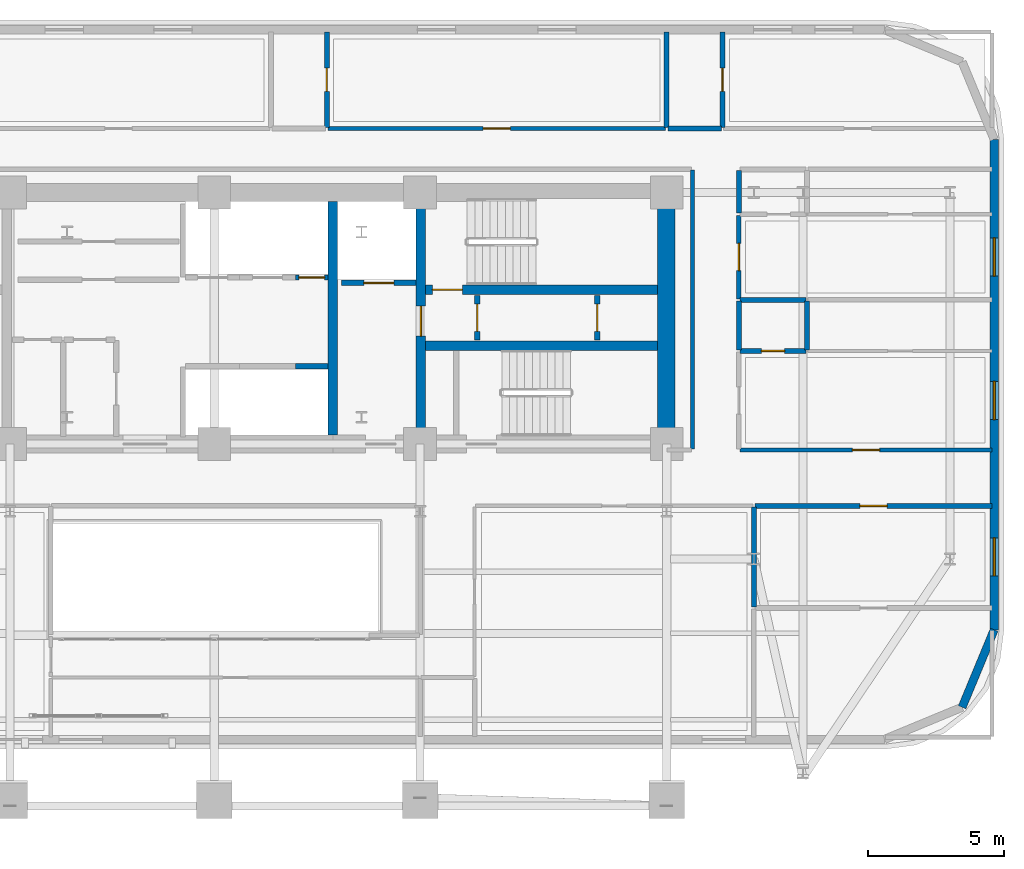
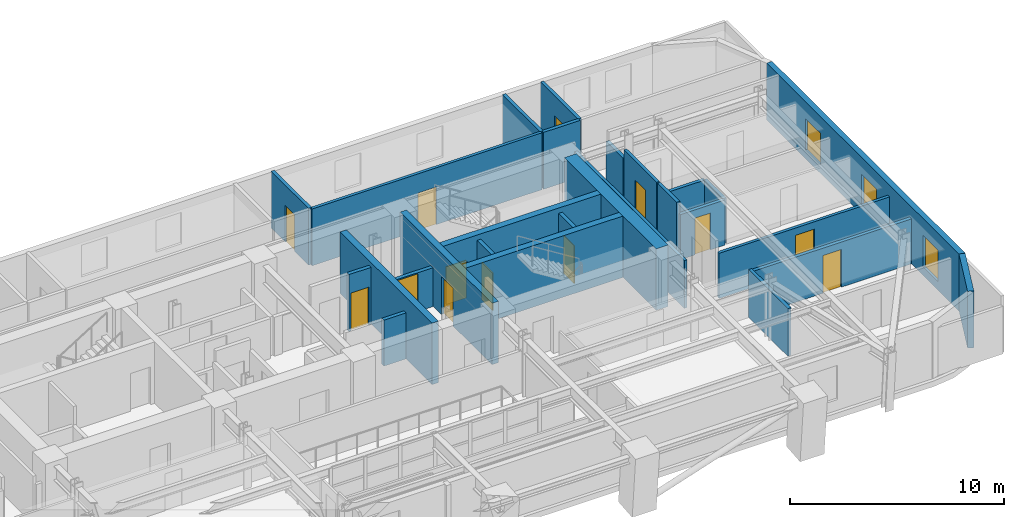
# One storey, part 11 of 15: 27 walls, 13 doors, 3 windows, 16 openings.
"""IFC4 building model written with IfcOpenShell, lengths in metres."""

from ifc_helpers import new_model, si_unit, direction, frame, frame_2d, origin, place, context, subcontext, project, spatial, rectangle, extrude, material, layer, layer_set, type_object, element, fill, save


model = new_model("IFC4")

# Units and contexts
model_context = context("Model", 3, precision=1e-05, world=origin(), true_north=direction((0.0, 1.0)))
body_context = subcontext(model_context, "Body", "Model", "MODEL_VIEW")
ifc_project = project(units=[si_unit("LENGTHUNIT", "METRE"), si_unit("AREAUNIT", "SQUARE_METRE"), si_unit("VOLUMEUNIT", "CUBIC_METRE"), si_unit("PLANEANGLEUNIT", "RADIAN"), si_unit("MASSUNIT", "GRAM", prefix="KILO")], contexts=[model_context])

# Site, building, storey
site_placement = place(None, origin())
site = spatial("IfcSite", under=ifc_project, at=site_placement, CompositionType="ELEMENT")
building_placement = place(site_placement, origin())
building = spatial("IfcBuilding", under=site, at=building_placement, Name="Zarnavel Station Tower", CompositionType="ELEMENT")
storey_placement = place(building_placement, frame((0.0, 0.0, 125.800048828125)))
storey = spatial("IfcBuildingStorey", under=building, at=storey_placement, Name="L34", CompositionType="ELEMENT", Elevation=125.800048828125)

# Wall
ifc_material_1 = material(Name="Concrete C50/60", Category="concrete")
ifc_layer_1 = layer(ifc_material_1, 0.35009765625)
ifc_layer_set_1 = layer_set([ifc_layer_1], Name="CW_350")
wall_type_1 = type_object("IfcWallType", Name="CW_350", PredefinedType="SHEAR", material=ifc_layer_set_1)
wall_1_placement = place(storey_placement, frame((33.14990234375, 28.14501953125, 0.0), z_axis=(0.0, 0.0, 1.0), x_axis=(0.0, 1.0, 0.0)))
element("IfcWall", 1, at=wall_1_placement, inside=storey, type_object=wall_type_1, Name="L34 Rear Core Shear Wall DIV-E", PredefinedType="SHEAR", context=body_context, shape_type="SweptSolid", body=[
    extrude(rectangle(XDim=8.580078125, YDim=0.35009765625, at=frame_2d((4.2900390625, 0.0))), origin(), (0.0, 0.0, 1.0), 3.5),
])

# Wall, opening, door
wall_2_placement = place(storey_placement, frame((36.3798828125, 28.14501953125, 0.0), z_axis=(0.0, 0.0, 1.0), x_axis=(0.0, 1.0, 0.0)))
wall_2 = element("IfcWall", 2, at=wall_2_placement, inside=storey, type_object=wall_type_1, Name="L34 Rear Core Shear Wall DIV-S2", PredefinedType="SHEAR", context=body_context, shape_type="SweptSolid", body=[
    extrude(rectangle(XDim=8.580078125, YDim=0.35009765625, at=frame_2d((4.2900390625, 0.0))), origin(), (0.0, 0.0, 1.0), 3.5),
])
opening_1_placement = place(wall_2_placement, frame((3.635009765625, 0.0, 0.0)))
opening_1 = element("IfcOpeningElement", 3, at=opening_1_placement, cuts=wall_2, Name="Opening FD01", PredefinedType="OPENING", context=body_context, shape_type="SweptSolid", body=[
    extrude(rectangle(XDim=1.10009765625, YDim=2.14990234375, at=frame_2d((0.550048828125, 1.074951171875))), frame((0.0, 0.18505859375, 0.0), z_axis=(0.0, -1.0, 0.0), x_axis=(1.0, 0.0, 0.0)), (0.0, 0.0, 1.0), 0.3701171875),
])
ifc_material_2 = material(Name="Painted Galvanised Steel and Hardwood Leaf", Category="steel")
door_type_1 = type_object("IfcDoorType", Name="ID_STAIR_1100", OperationType="NOTDEFINED", PredefinedType="DOOR", material=ifc_material_2)
door_1_placement = place(opening_1_placement, origin())
door_1 = element("IfcDoor", 4, at=door_1_placement, inside=storey, type_object=door_type_1, Name="L34 East Stair Vestibule Fire Door", OperationType="SINGLE_SWING_LEFT", OverallHeight=2.14990234375, OverallWidth=1.10009765625, PredefinedType="DOOR", context=body_context, shape_type="SweptSolid", body=[
    extrude(rectangle(XDim=1.10009765625, YDim=2.14990234375, at=frame_2d((0.550048828125, 1.074951171875))), frame((0.0, 0.02490234375, 0.0), z_axis=(0.0, -1.0, 0.0), x_axis=(1.0, 0.0, 0.0)), (0.0, 0.0, 1.0), 0.050048828125),
])
fill(opening_1, door_1)

wall_3_placement = place(storey_placement, frame((45.054931640625, 33.47998046875, 0.0), z_axis=(0.0, 0.0, 1.0), x_axis=(-1.0, 0.0, 0.0)))
wall_3 = element("IfcWall", 5, at=wall_3_placement, inside=storey, type_object=wall_type_1, Name="L34 Rear Core Shear Wall DIV-H2", PredefinedType="SHEAR", context=body_context, shape_type="SweptSolid", body=[
    extrude(rectangle(XDim=8.5, YDim=0.35009765625, at=frame_2d((4.25, 0.0))), origin(), (0.0, 0.0, 1.0), 3.5),
])
opening_2_placement = place(wall_3_placement, frame((7.155029296875, 0.0, 0.0)))
opening_2 = element("IfcOpeningElement", 6, at=opening_2_placement, cuts=wall_3, Name="Opening FD01", PredefinedType="OPENING", context=body_context, shape_type="SweptSolid", body=[
    extrude(rectangle(XDim=1.10009765625, YDim=2.14990234375, at=frame_2d((0.550048828125, 1.074951171875))), frame((0.0, 0.18505859375, 0.0), z_axis=(0.0, -1.0, 0.0), x_axis=(1.0, 0.0, 0.0)), (0.0, 0.0, 1.0), 0.3701171875),
])
door_2_placement = place(opening_2_placement, origin())
door_2 = element("IfcDoor", 7, at=door_2_placement, inside=storey, type_object=door_type_1, Name="L34 Stair ST2 Lobby Fire Door", OperationType="SINGLE_SWING_RIGHT", OverallHeight=2.14990234375, OverallWidth=1.10009765625, PredefinedType="DOOR", context=body_context, shape_type="SweptSolid", body=[
    extrude(rectangle(XDim=1.10009765625, YDim=2.14990234375, at=frame_2d((0.550048828125, 1.074951171875))), frame((0.0, 0.02490234375, 0.0), z_axis=(0.0, -1.0, 0.0), x_axis=(1.0, 0.0, 0.0)), (0.0, 0.0, 1.0), 0.050048828125),
])
fill(opening_2, door_2)

# Walls
wall_4_placement = place(storey_placement, frame((36.554931640625, 31.419921875, 0.0), z_axis=(0.0, 0.0, 1.0), x_axis=(1.0, 0.0, 0.0)))
element("IfcWall", 8, at=wall_4_placement, inside=storey, type_object=wall_type_1, Name="L34 Rear Core Shear Wall DIV-H3", PredefinedType="SHEAR", context=body_context, shape_type="SweptSolid", body=[
    extrude(rectangle(XDim=8.5, YDim=0.35009765625, at=frame_2d((4.25, 0.0))), origin(), (0.0, 0.0, 1.0), 3.5),
])
ifc_material_3 = material(Name="Concrete C60/75", Category="concrete")
ifc_layer_2 = layer(ifc_material_3, 0.64990234375)
ifc_layer_set_2 = layer_set([ifc_layer_2], Name="CW_650")
wall_type_2 = type_object("IfcWallType", Name="CW_650", PredefinedType="SHEAR", material=ifc_layer_set_2)
wall_5_placement = place(storey_placement, frame((45.3798828125, 28.14501953125, 0.0), z_axis=(0.0, 0.0, 1.0), x_axis=(0.0, 1.0, 0.0)))
element("IfcWall", 9, at=wall_5_placement, inside=storey, type_object=wall_type_2, Name="L34 Rear Core Shear Wall E", PredefinedType="SHEAR", context=body_context, shape_type="SweptSolid", body=[
    extrude(rectangle(XDim=8.580078125, YDim=0.64990234375, at=frame_2d((4.2900390625, 0.0))), origin(), (0.0, 0.0, 1.0), 3.5),
])
ifc_material_4 = material(Name="Precast concrete C45/55 (Dark Basalt Finish)", Category="masonry")
ifc_layer_3 = layer(ifc_material_4, 0.300048828125)
ifc_layer_set_3 = layer_set([ifc_layer_3], Name="EW_BASALT_300")
wall_type_3 = type_object("IfcWallType", Name="EW_BASALT_300", PredefinedType="SOLIDWALL", material=ifc_layer_set_3)
wall_6_placement = place(storey_placement, frame((57.419921875, 21.0, 0.0), z_axis=(0.0, 0.0, 1.0), x_axis=(-0.382636798336, -0.92389884758, 0.0)))
element("IfcWall", 10, at=wall_6_placement, inside=storey, type_object=wall_type_3, Name="L34 Exterior Basalt Masonry Frame Wall 02", PredefinedType="SOLIDWALL", context=body_context, shape_type="SweptSolid", body=[
    extrude(rectangle(XDim=3.07666015625, YDim=0.300048828125, at=frame_2d((1.538330078125, 0.0))), origin(), (0.0, 0.0, 1.0), 3.239990234375),
])

# Wall, openings, windows
wall_7_placement = place(storey_placement, frame((57.419921875, 39.0, 0.0), z_axis=(0.0, 0.0, 1.0), x_axis=(0.0, -1.0, 0.0)))
wall_7 = element("IfcWall", 11, at=wall_7_placement, inside=storey, type_object=wall_type_3, Name="L34 Exterior Basalt Masonry Frame Wall 03", PredefinedType="SOLIDWALL", context=body_context, shape_type="SweptSolid", body=[
    extrude(rectangle(XDim=18.0, YDim=0.300048828125, at=frame_2d((9.0, 0.0))), origin(), (0.0, 0.0, 1.0), 3.239990234375),
])
opening_3_placement = place(wall_7_placement, frame((8.882080078125, 0.0, 0.47998046875)))
opening_3 = element("IfcOpeningElement", 12, at=opening_3_placement, cuts=wall_7, Name="Opening WN01", PredefinedType="OPENING", context=body_context, shape_type="SweptSolid", body=[
    extrude(rectangle(XDim=1.39990234375, YDim=1.800048828125, at=frame_2d((0.699951171875, 0.89990234375))), frame((0.0, 0.159912109375, 0.0), z_axis=(0.0, -1.0, 0.0), x_axis=(1.0, 0.0, 0.0)), (0.0, 0.0, 1.0), 0.320068359375),
])
opening_4_placement = place(wall_7_placement, frame((3.62060546875, 0.0, 0.47998046875)))
opening_4 = element("IfcOpeningElement", 13, at=opening_4_placement, cuts=wall_7, Name="Opening WN01", PredefinedType="OPENING", context=body_context, shape_type="SweptSolid", body=[
    extrude(rectangle(XDim=1.39990234375, YDim=1.800048828125, at=frame_2d((0.699951171875, 0.89990234375))), frame((0.0, 0.159912109375, 0.0), z_axis=(0.0, -1.0, 0.0), x_axis=(1.0, 0.0, 0.0)), (0.0, 0.0, 1.0), 0.320068359375),
])
opening_5_placement = place(wall_7_placement, frame((14.625, 0.0, 0.47998046875)))
opening_5 = element("IfcOpeningElement", 14, at=opening_5_placement, cuts=wall_7, Name="Opening WN01", PredefinedType="OPENING", context=body_context, shape_type="SweptSolid", body=[
    extrude(rectangle(XDim=1.39990234375, YDim=1.800048828125, at=frame_2d((0.699951171875, 0.89990234375))), frame((0.0, 0.159912109375, 0.0), z_axis=(0.0, -1.0, 0.0), x_axis=(1.0, 0.0, 0.0)), (0.0, 0.0, 1.0), 0.320068359375),
])
ifc_material_5 = material(Name="Thermally Broken Black Aluminium and Low-E Dark Glass", Category="aluminium")
window_type = type_object("IfcWindowType", Name="WN_1400x1800", PartitioningType="DOUBLE_PANEL_VERTICAL", PredefinedType="WINDOW", material=ifc_material_5)
window_1_placement = place(opening_3_placement, origin())
window_1 = element("IfcWindow", 15, at=window_1_placement, inside=storey, type_object=window_type, Name="L34 Recessed Facade Window 01", OverallHeight=1.800048828125, OverallWidth=1.39990234375, PartitioningType="SINGLE_PANEL", PredefinedType="WINDOW", context=body_context, shape_type="SweptSolid", body=[
    extrude(rectangle(XDim=1.39990234375, YDim=1.800048828125, at=frame_2d((0.699951171875, 0.89990234375))), frame((0.0, 0.030029296875, 0.0), z_axis=(0.0, -1.0, 0.0), x_axis=(1.0, 0.0, 0.0)), (0.0, 0.0, 1.0), 0.06005859375),
])
fill(opening_3, window_1)
window_2_placement = place(opening_4_placement, origin())
window_2 = element("IfcWindow", 16, at=window_2_placement, inside=storey, type_object=window_type, Name="L34 Recessed Facade Window 02", OverallHeight=1.800048828125, OverallWidth=1.39990234375, PartitioningType="SINGLE_PANEL", PredefinedType="WINDOW", context=body_context, shape_type="SweptSolid", body=[
    extrude(rectangle(XDim=1.39990234375, YDim=1.800048828125, at=frame_2d((0.699951171875, 0.89990234375))), frame((0.0, 0.030029296875, 0.0), z_axis=(0.0, -1.0, 0.0), x_axis=(1.0, 0.0, 0.0)), (0.0, 0.0, 1.0), 0.06005859375),
])
fill(opening_4, window_2)
window_3_placement = place(opening_5_placement, origin())
window_3 = element("IfcWindow", 17, at=window_3_placement, inside=storey, type_object=window_type, Name="L34 Recessed Facade Window 03", OverallHeight=1.800048828125, OverallWidth=1.39990234375, PartitioningType="SINGLE_PANEL", PredefinedType="WINDOW", context=body_context, shape_type="SweptSolid", body=[
    extrude(rectangle(XDim=1.39990234375, YDim=1.800048828125, at=frame_2d((0.699951171875, 0.89990234375))), frame((0.0, 0.030029296875, 0.0), z_axis=(0.0, -1.0, 0.0), x_axis=(1.0, 0.0, 0.0)), (0.0, 0.0, 1.0), 0.06005859375),
])
fill(opening_5, window_3)

# Wall, opening, door
ifc_material_6 = material(Name="Gypsum Twin-Stud Acoustic Fire Partition", Category="concrete")
ifc_layer_4 = layer(ifc_material_6, 0.159912109375)
ifc_layer_set_4 = layer_set([ifc_layer_4], Name="PT_DEMISE_160")
wall_type_4 = type_object("IfcWallType", Name="PT_DEMISE_160", PredefinedType="PARTITIONING", material=ifc_layer_set_4)
wall_8_placement = place(storey_placement, frame((48.090087890625, 27.60009765625, 0.0), z_axis=(0.0, 0.0, 1.0), x_axis=(1.0, 0.0, 0.0)))
wall_8 = element("IfcWall", 18, at=wall_8_placement, inside=storey, type_object=wall_type_4, Name="L34 Partition COR-S-FNE1R", PredefinedType="PARTITIONING", context=body_context, shape_type="SweptSolid", body=[
    extrude(rectangle(XDim=9.25, YDim=0.159912109375, at=frame_2d((4.625, 0.0))), origin(), (0.0, 0.0, 1.0), 2.570068359375),
])
opening_6_placement = place(wall_8_placement, frame((4.125, 0.0, 0.0)))
opening_6 = element("IfcOpeningElement", 19, at=opening_6_placement, cuts=wall_8, Name="Opening FD02", PredefinedType="OPENING", context=body_context, shape_type="SweptSolid", body=[
    extrude(rectangle(XDim=1.0, YDim=2.14990234375, at=frame_2d((0.5, 1.074951171875))), frame((0.0, 0.08984375, 0.0), z_axis=(0.0, -1.0, 0.0), x_axis=(1.0, 0.0, 0.0)), (0.0, 0.0, 1.0), 0.179931640625),
])
ifc_material_7 = material(Name="Painted Galvanised Steel and Hardwood Leaf", Category="steel")
door_type_2 = type_object("IfcDoorType", Name="ID_ENTRY_1000", OperationType="NOTDEFINED", PredefinedType="DOOR", material=ifc_material_7)
door_3_placement = place(opening_6_placement, origin())
door_3 = element("IfcDoor", 20, at=door_3_placement, inside=storey, type_object=door_type_2, Name="L34 Door COR-S-FNE1R", OperationType="SINGLE_SWING_LEFT", OverallHeight=2.14990234375, OverallWidth=1.0, PredefinedType="DOOR", context=body_context, shape_type="SweptSolid", body=[
    extrude(rectangle(XDim=1.0, YDim=2.14990234375, at=frame_2d((0.5, 1.074951171875))), frame((0.0, 0.02490234375, 0.0), z_axis=(0.0, -1.0, 0.0), x_axis=(1.0, 0.0, 0.0)), (0.0, 0.0, 1.0), 0.050048828125),
])
fill(opening_6, door_3)

wall_9_placement = place(storey_placement, frame((48.050048828125, 33.14892578125, 0.0), z_axis=(0.0, 0.0, 1.0), x_axis=(0.0, 1.0, 0.0)))
wall_9 = element("IfcWall", 21, at=wall_9_placement, inside=storey, type_object=wall_type_4, Name="L34 Partition COR-E-FNE2R", PredefinedType="PARTITIONING", context=body_context, shape_type="SweptSolid", body=[
    extrude(rectangle(XDim=3.06103515625, YDim=0.159912109375, at=frame_2d((1.530517578125, 0.0))), origin(), (0.0, 0.0, 1.0), 3.239990234375),
])
opening_7_placement = place(wall_9_placement, frame((1.030517578125, 0.0, 0.0)))
opening_7 = element("IfcOpeningElement", 22, at=opening_7_placement, cuts=wall_9, Name="Opening FD02", PredefinedType="OPENING", context=body_context, shape_type="SweptSolid", body=[
    extrude(rectangle(XDim=1.0, YDim=2.14990234375, at=frame_2d((0.5, 1.074951171875))), frame((0.0, 0.08984375, 0.0), z_axis=(0.0, -1.0, 0.0), x_axis=(1.0, 0.0, 0.0)), (0.0, 0.0, 1.0), 0.179931640625),
])
door_4_placement = place(opening_7_placement, origin())
door_4 = element("IfcDoor", 23, at=door_4_placement, inside=storey, type_object=door_type_2, Name="L34 Door COR-E-FNE2R", OperationType="SINGLE_SWING_LEFT", OverallHeight=2.14990234375, OverallWidth=1.0, PredefinedType="DOOR", context=body_context, shape_type="SweptSolid", body=[
    extrude(rectangle(XDim=1.0, YDim=2.14990234375, at=frame_2d((0.5, 1.074951171875))), frame((0.0, 0.02490234375, 0.0), z_axis=(0.0, -1.0, 0.0), x_axis=(1.0, 0.0, 0.0)), (0.0, 0.0, 1.0), 0.050048828125),
])
fill(opening_7, door_4)

wall_10_placement = place(storey_placement, frame((32.967041015625, 39.39990234375, 0.0), z_axis=(0.0, 0.0, 1.0), x_axis=(1.0, 0.0, 0.0)))
wall_10 = element("IfcWall", 24, at=wall_10_placement, inside=storey, type_object=wall_type_4, Name="L34 Partition COR-N-HN3R", PredefinedType="PARTITIONING", context=body_context, shape_type="SweptSolid", body=[
    extrude(rectangle(XDim=12.39306640625, YDim=0.159912109375, at=frame_2d((6.196533203125, 0.0))), origin(), (0.0, 0.0, 1.0), 3.239990234375),
])
opening_8_placement = place(wall_10_placement, frame((5.696533203125, 0.0, 0.0)))
opening_8 = element("IfcOpeningElement", 25, at=opening_8_placement, cuts=wall_10, Name="Opening FD02", PredefinedType="OPENING", context=body_context, shape_type="SweptSolid", body=[
    extrude(rectangle(XDim=1.0, YDim=2.14990234375, at=frame_2d((0.5, 1.074951171875))), frame((0.0, 0.08984375, 0.0), z_axis=(0.0, -1.0, 0.0), x_axis=(1.0, 0.0, 0.0)), (0.0, 0.0, 1.0), 0.179931640625),
])
door_5_placement = place(opening_8_placement, origin())
door_5 = element("IfcDoor", 26, at=door_5_placement, inside=storey, type_object=door_type_2, Name="L34 Door COR-N-HN3R", OperationType="SINGLE_SWING_LEFT", OverallHeight=2.14990234375, OverallWidth=1.0, PredefinedType="DOOR", context=body_context, shape_type="SweptSolid", body=[
    extrude(rectangle(XDim=1.0, YDim=2.14990234375, at=frame_2d((0.5, 1.074951171875))), frame((0.0, 0.02490234375, 0.0), z_axis=(0.0, -1.0, 0.0), x_axis=(1.0, 0.0, 0.0)), (0.0, 0.0, 1.0), 0.050048828125),
])
fill(opening_8, door_5)

# Wall
wall_11_placement = place(storey_placement, frame((46.35009765625, 27.6298828125, 0.0), z_axis=(0.0, 0.0, 1.0), x_axis=(0.0, 1.0, 0.0)))
element("IfcWall", 27, at=wall_11_placement, inside=storey, type_object=wall_type_4, Name="L34 Enclosure Wall COR-E", PredefinedType="PARTITIONING", context=body_context, shape_type="SweptSolid", body=[
    extrude(rectangle(XDim=10.240234375, YDim=0.159912109375, at=frame_2d((5.1201171875, 0.0))), origin(), (0.0, 0.0, 1.0), 2.719970703125),
])

# Wall, opening, door
ifc_material_8 = material(Name="Precast concrete C45/55 (Fire Shaft Blockwork)", Category="masonry")
ifc_layer_5 = layer(ifc_material_8, 0.199951171875)
ifc_layer_set_5 = layer_set([ifc_layer_5], Name="PT_SHAFT_200")
wall_type_5 = type_object("IfcWallType", Name="PT_SHAFT_200", PredefinedType="PARTITIONING", material=ifc_layer_set_5)
wall_12_placement = place(storey_placement, frame((33.47509765625, 33.72998046875, 0.0), z_axis=(0.0, 0.0, 1.0), x_axis=(1.0, 0.0, 0.0)))
wall_12 = element("IfcWall", 28, at=wall_12_placement, inside=storey, type_object=wall_type_5, Name="L34 Lift FFL-02 Shaft Front Wall", PredefinedType="PARTITIONING", context=body_context, shape_type="SweptSolid", body=[
    extrude(rectangle(XDim=2.724853515625, YDim=0.199951171875, at=frame_2d((1.3623046875, 0.0))), origin(), (0.0, 0.0, 1.0), 2.2119140625),
])
opening_9_placement = place(wall_12_placement, frame((0.8125, 0.0, 0.0)))
opening_9 = element("IfcOpeningElement", 29, at=opening_9_placement, cuts=wall_12, Name="Opening LD01", PredefinedType="OPENING", context=body_context, shape_type="SweptSolid", body=[
    extrude(rectangle(XDim=1.10009765625, YDim=2.14990234375, at=frame_2d((0.550048828125, 1.074951171875))), frame((0.0, 0.10986328125, 0.0), z_axis=(0.0, -1.0, 0.0), x_axis=(1.0, 0.0, 0.0)), (0.0, 0.0, 1.0), 0.219970703125),
])
ifc_material_9 = material(Name="Painted Galvanised Steel and Hardwood Leaf", Category="steel")
door_type_3 = type_object("IfcDoorType", Name="LD_FF_1100", OperationType="DOUBLE_DOOR_SLIDING", PredefinedType="DOOR", material=ifc_material_9)
door_6_placement = place(opening_9_placement, origin())
door_6 = element("IfcDoor", 30, at=door_6_placement, inside=storey, type_object=door_type_3, Name="L34 Lift FFL-02 Sliding Landing Door", OperationType="DOUBLE_DOOR_SLIDING", OverallHeight=2.14990234375, OverallWidth=1.10009765625, PredefinedType="DOOR", context=body_context, shape_type="SweptSolid", body=[
    extrude(rectangle(XDim=1.10009765625, YDim=2.14990234375, at=frame_2d((0.550048828125, 1.074951171875))), frame((0.0, 0.02490234375, 0.0), z_axis=(0.0, -1.0, 0.0), x_axis=(1.0, 0.0, 0.0)), (0.0, 0.0, 1.0), 0.050048828125),
])
fill(opening_9, door_6)

# Wall
wall_13_placement = place(storey_placement, frame((31.77490234375, 30.669921875, 0.0), z_axis=(0.0, 0.0, 1.0), x_axis=(1.0, 0.0, 0.0)))
element("IfcWall", 31, at=wall_13_placement, inside=storey, type_object=wall_type_5, Name="L34 Lift PL-H3 Shaft Front Wall", PredefinedType="PARTITIONING", context=body_context, shape_type="SweptSolid", body=[
    extrude(rectangle(XDim=1.2001953125, YDim=0.199951171875, at=frame_2d((0.60009765625, 0.0))), origin(), (0.0, 0.0, 1.0), 2.619873046875),
])

# Wall, opening, door
wall_14_placement = place(storey_placement, frame((31.77490234375, 33.929931640625, 0.0), z_axis=(0.0, 0.0, 1.0), x_axis=(1.0, 0.0, 0.0)))
wall_14 = element("IfcWall", 32, at=wall_14_placement, inside=storey, type_object=wall_type_5, Name="L34 Lift PL-M3 Shaft Front Wall", PredefinedType="PARTITIONING", context=body_context, shape_type="SweptSolid", body=[
    extrude(rectangle(XDim=1.2001953125, YDim=0.199951171875, at=frame_2d((0.60009765625, 0.0))), origin(), (0.0, 0.0, 1.0), 3.239990234375),
])
opening_10_placement = place(wall_14_placement, frame((0.125, 0.0, 0.0)))
opening_10 = element("IfcOpeningElement", 33, at=opening_10_placement, cuts=wall_14, Name="Opening LD03", PredefinedType="OPENING", context=body_context, shape_type="SweptSolid", body=[
    extrude(rectangle(XDim=0.949951171875, YDim=2.14990234375, at=frame_2d((0.47509765625, 1.074951171875))), frame((0.0, 0.10986328125, 0.0), z_axis=(0.0, -1.0, 0.0), x_axis=(1.0, 0.0, 0.0)), (0.0, 0.0, 1.0), 0.219970703125),
])
ifc_material_10 = material(Name="Painted Galvanised Steel and Hardwood Leaf", Category="steel")
door_type_4 = type_object("IfcDoorType", Name="LD_PAX_0950", OperationType="DOUBLE_DOOR_SLIDING", PredefinedType="DOOR", material=ifc_material_10)
door_7_placement = place(opening_10_placement, origin())
door_7 = element("IfcDoor", 34, at=door_7_placement, inside=storey, type_object=door_type_4, Name="L34 Lift PL-M3 Sliding Landing Door", OperationType="DOUBLE_DOOR_SLIDING", OverallHeight=2.14990234375, OverallWidth=0.949951171875, PredefinedType="DOOR", context=body_context, shape_type="SweptSolid", body=[
    extrude(rectangle(XDim=0.949951171875, YDim=2.14990234375, at=frame_2d((0.47509765625, 1.074951171875))), frame((0.0, 0.02490234375, 0.0), z_axis=(0.0, -1.0, 0.0), x_axis=(1.0, 0.0, 0.0)), (0.0, 0.0, 1.0), 0.050048828125),
])
fill(opening_10, door_7)

wall_15_placement = place(storey_placement, frame((38.449951171875, 31.639892578125, 0.0), z_axis=(0.0, 0.0, 1.0), x_axis=(0.0, 1.0, 0.0)))
wall_15 = element("IfcWall", 35, at=wall_15_placement, inside=storey, type_object=wall_type_5, Name="L34 Partition ESTV-CEA", PredefinedType="PARTITIONING", context=body_context, shape_type="SweptSolid", body=[
    extrude(rectangle(XDim=1.6201171875, YDim=0.199951171875, at=frame_2d((0.81005859375, 0.0))), origin(), (0.0, 0.0, 1.0), 3.239990234375),
])
opening_11_placement = place(wall_15_placement, frame((0.31005859375, 0.0, 0.0)))
opening_11 = element("IfcOpeningElement", 36, at=opening_11_placement, cuts=wall_15, Name="Opening FD02", PredefinedType="OPENING", context=body_context, shape_type="SweptSolid", body=[
    extrude(rectangle(XDim=1.0, YDim=2.14990234375, at=frame_2d((0.5, 1.074951171875))), frame((0.0, 0.10986328125, 0.0), z_axis=(0.0, -1.0, 0.0), x_axis=(1.0, 0.0, 0.0)), (0.0, 0.0, 1.0), 0.219970703125),
])
door_8_placement = place(opening_11_placement, origin())
door_8 = element("IfcDoor", 37, at=door_8_placement, inside=storey, type_object=door_type_2, Name="L34 Door ESTV-CEA", OperationType="SINGLE_SWING_LEFT", OverallHeight=2.14990234375, OverallWidth=1.0, PredefinedType="DOOR", context=body_context, shape_type="SweptSolid", body=[
    extrude(rectangle(XDim=1.0, YDim=2.14990234375, at=frame_2d((0.5, 1.074951171875))), frame((0.0, 0.02490234375, 0.0), z_axis=(0.0, -1.0, 0.0), x_axis=(1.0, 0.0, 0.0)), (0.0, 0.0, 1.0), 0.050048828125),
])
fill(opening_11, door_8)

wall_16_placement = place(storey_placement, frame((42.85009765625, 31.639892578125, 0.0), z_axis=(0.0, 0.0, 1.0), x_axis=(0.0, 1.0, 0.0)))
wall_16 = element("IfcWall", 38, at=wall_16_placement, inside=storey, type_object=wall_type_5, Name="L34 Partition CEA-CEB", PredefinedType="PARTITIONING", context=body_context, shape_type="SweptSolid", body=[
    extrude(rectangle(XDim=1.6201171875, YDim=0.199951171875, at=frame_2d((0.81005859375, 0.0))), origin(), (0.0, 0.0, 1.0), 3.239990234375),
])
opening_12_placement = place(wall_16_placement, frame((0.31005859375, 0.0, 0.0)))
opening_12 = element("IfcOpeningElement", 39, at=opening_12_placement, cuts=wall_16, Name="Opening FD02", PredefinedType="OPENING", context=body_context, shape_type="SweptSolid", body=[
    extrude(rectangle(XDim=1.0, YDim=2.14990234375, at=frame_2d((0.5, 1.074951171875))), frame((0.0, 0.10986328125, 0.0), z_axis=(0.0, -1.0, 0.0), x_axis=(1.0, 0.0, 0.0)), (0.0, 0.0, 1.0), 0.219970703125),
])
door_9_placement = place(opening_12_placement, origin())
door_9 = element("IfcDoor", 40, at=door_9_placement, inside=storey, type_object=door_type_2, Name="L34 Door CEA-CEB", OperationType="SINGLE_SWING_RIGHT", OverallHeight=2.14990234375, OverallWidth=1.0, PredefinedType="DOOR", context=body_context, shape_type="SweptSolid", body=[
    extrude(rectangle(XDim=1.0, YDim=2.14990234375, at=frame_2d((0.5, 1.074951171875))), frame((0.0, 0.02490234375, 0.0), z_axis=(0.0, -1.0, 0.0), x_axis=(1.0, 0.0, 0.0)), (0.0, 0.0, 1.0), 0.050048828125),
])
fill(opening_12, door_9)

ifc_material_11 = material(Name="Moisture-Resistant Plumbing Chase Wall", Category="concrete")
ifc_layer_6 = layer(ifc_material_11, 0.179931640625)
ifc_layer_set_6 = layer_set([ifc_layer_6], Name="PW_PLUMB_180")
wall_type_6 = type_object("IfcWallType", Name="PW_PLUMB_180", PredefinedType="PLUMBINGWALL", material=ifc_layer_set_6)
wall_17_placement = place(storey_placement, frame((48.639892578125, 25.550048828125, 0.0), z_axis=(0.0, 0.0, 1.0), x_axis=(1.0, 0.0, 0.0)))
wall_17 = element("IfcWall", 41, at=wall_17_placement, inside=storey, type_object=wall_type_6, Name="L34 Partition COR-S-L33KIT", PredefinedType="PLUMBINGWALL", context=body_context, shape_type="SweptSolid", body=[
    extrude(rectangle(XDim=8.7001953125, YDim=0.179931640625, at=frame_2d((4.35009765625, 0.0))), origin(), (0.0, 0.0, 1.0), 2.570068359375),
])
opening_13_placement = place(wall_17_placement, frame((3.85009765625, 0.0, 0.0)))
opening_13 = element("IfcOpeningElement", 42, at=opening_13_placement, cuts=wall_17, Name="Opening FD02", PredefinedType="OPENING", context=body_context, shape_type="SweptSolid", body=[
    extrude(rectangle(XDim=1.0, YDim=2.14990234375, at=frame_2d((0.5, 1.074951171875))), frame((0.0, 0.099853515625, 0.0), z_axis=(0.0, -1.0, 0.0), x_axis=(1.0, 0.0, 0.0)), (0.0, 0.0, 1.0), 0.199951171875),
])
door_10_placement = place(opening_13_placement, origin())
door_10 = element("IfcDoor", 43, at=door_10_placement, inside=storey, type_object=door_type_2, Name="L34 Door COR-S-L33KIT", OperationType="SINGLE_SWING_LEFT", OverallHeight=2.14990234375, OverallWidth=1.0, PredefinedType="DOOR", context=body_context, shape_type="SweptSolid", body=[
    extrude(rectangle(XDim=1.0, YDim=2.14990234375, at=frame_2d((0.5, 1.074951171875))), frame((0.0, 0.02490234375, 0.0), z_axis=(0.0, -1.0, 0.0), x_axis=(1.0, 0.0, 0.0)), (0.0, 0.0, 1.0), 0.050048828125),
])
fill(opening_13, door_10)

# Walls
wall_18_placement = place(storey_placement, frame((48.050048828125, 31.27587890625, 0.0), z_axis=(0.0, 0.0, 1.0), x_axis=(0.0, 1.0, 0.0)))
element("IfcWall", 44, at=wall_18_placement, inside=storey, type_object=wall_type_6, Name="L34 Partition COR-E-FNE1B", PredefinedType="PLUMBINGWALL", context=body_context, shape_type="SweptSolid", body=[
    extrude(rectangle(XDim=1.793212890625, YDim=0.179931640625, at=frame_2d((0.896484375, 0.0))), origin(), (0.0, 0.0, 1.0), 3.239990234375),
])
wall_19_placement = place(storey_placement, frame((48.050048828125, 36.2900390625, 0.0), z_axis=(0.0, 0.0, 1.0), x_axis=(0.0, 1.0, 0.0)))
element("IfcWall", 45, at=wall_19_placement, inside=storey, type_object=wall_type_6, Name="L34 Partition COR-E-FNE2B", PredefinedType="PLUMBINGWALL", context=body_context, shape_type="SweptSolid", body=[
    extrude(rectangle(XDim=1.570068359375, YDim=0.179931640625, at=frame_2d((0.78515625, 0.0))), origin(), (0.0, 0.0, 1.0), 2.719970703125),
])
wall_20_placement = place(storey_placement, frame((45.43994140625, 39.39990234375, 0.0), z_axis=(0.0, 0.0, 1.0), x_axis=(1.0, 0.0, 0.0)))
element("IfcWall", 46, at=wall_20_placement, inside=storey, type_object=wall_type_6, Name="L34 Partition COR-N-HN4B", PredefinedType="PLUMBINGWALL", context=body_context, shape_type="SweptSolid", body=[
    extrude(rectangle(XDim=1.969970703125, YDim=0.179931640625, at=frame_2d((0.98486328125, 0.0))), origin(), (0.0, 0.0, 1.0), 3.239990234375),
])

# Wall, opening, door
wall_21_placement = place(storey_placement, frame((48.090087890625, 31.236083984375, 0.0), z_axis=(0.0, 0.0, 1.0), x_axis=(1.0, 0.0, 0.0)))
wall_21 = element("IfcWall", 47, at=wall_21_placement, inside=storey, type_object=wall_type_6, Name="L34 Partition FNE1R-FNE1B", PredefinedType="PLUMBINGWALL", context=body_context, shape_type="SweptSolid", body=[
    extrude(rectangle(XDim=2.419921875, YDim=0.179931640625, at=frame_2d((1.2099609375, 0.0))), origin(), (0.0, 0.0, 1.0), 2.570068359375),
])
opening_14_placement = place(wall_21_placement, frame((0.784912109375, 0.0, 0.0)))
opening_14 = element("IfcOpeningElement", 48, at=opening_14_placement, cuts=wall_21, Name="Opening ID02", PredefinedType="OPENING", context=body_context, shape_type="SweptSolid", body=[
    extrude(rectangle(XDim=0.85009765625, YDim=2.10009765625, at=frame_2d((0.425048828125, 1.050048828125))), frame((0.0, 0.099853515625, 0.0), z_axis=(0.0, -1.0, 0.0), x_axis=(1.0, 0.0, 0.0)), (0.0, 0.0, 1.0), 0.199951171875),
])
ifc_material_12 = material(Name="Painted Galvanised Steel and Hardwood Leaf", Category="steel")
door_type_5 = type_object("IfcDoorType", Name="ID_BATH_850", OperationType="NOTDEFINED", PredefinedType="DOOR", material=ifc_material_12)
door_11_placement = place(opening_14_placement, origin())
door_11 = element("IfcDoor", 49, at=door_11_placement, inside=storey, type_object=door_type_5, Name="L34 Door FNE1R-FNE1B", OperationType="SINGLE_SWING_RIGHT", OverallHeight=2.10009765625, OverallWidth=0.85009765625, PredefinedType="DOOR", context=body_context, shape_type="SweptSolid", body=[
    extrude(rectangle(XDim=0.85009765625, YDim=2.10009765625, at=frame_2d((0.425048828125, 1.050048828125))), frame((0.0, 0.02490234375, 0.0), z_axis=(0.0, -1.0, 0.0), x_axis=(1.0, 0.0, 0.0)), (0.0, 0.0, 1.0), 0.050048828125),
])
fill(opening_14, door_11)

# Walls
wall_22_placement = place(storey_placement, frame((50.550048828125, 31.27587890625, 0.0), z_axis=(0.0, 0.0, 1.0), x_axis=(0.0, 1.0, 0.0)))
element("IfcWall", 50, at=wall_22_placement, inside=storey, type_object=wall_type_6, Name="L34 Partition FNE1B-FNE1S", PredefinedType="PLUMBINGWALL", context=body_context, shape_type="SweptSolid", body=[
    extrude(rectangle(XDim=1.793212890625, YDim=0.179931640625, at=frame_2d((0.896484375, 0.0))), origin(), (0.0, 0.0, 1.0), 2.570068359375),
])
wall_23_placement = place(storey_placement, frame((48.090087890625, 33.10888671875, 0.0), z_axis=(0.0, 0.0, 1.0), x_axis=(1.0, 0.0, 0.0)))
element("IfcWall", 51, at=wall_23_placement, inside=storey, type_object=wall_type_6, Name="L34 Partition FNE1B-FNE2R", PredefinedType="PLUMBINGWALL", context=body_context, shape_type="SweptSolid", body=[
    extrude(rectangle(XDim=2.419921875, YDim=0.179931640625, at=frame_2d((1.2099609375, 0.0))), origin(), (0.0, 0.0, 1.0), 2.570068359375),
])

# Wall, opening, door
wall_24_placement = place(storey_placement, frame((32.927001953125, 39.43994140625, 0.0), z_axis=(0.0, 0.0, 1.0), x_axis=(0.0, 1.0, 0.0)))
wall_24 = element("IfcWall", 52, at=wall_24_placement, inside=storey, type_object=wall_type_6, Name="L34 Partition HN3R-HN3B", PredefinedType="PLUMBINGWALL", context=body_context, shape_type="SweptSolid", body=[
    extrude(rectangle(XDim=3.5, YDim=0.179931640625, at=frame_2d((1.75, 0.0))), origin(), (0.0, 0.0, 1.0), 3.239990234375),
])
opening_15_placement = place(wall_24_placement, frame((1.324951171875, 0.0, 0.0)))
opening_15 = element("IfcOpeningElement", 53, at=opening_15_placement, cuts=wall_24, Name="Opening ID02", PredefinedType="OPENING", context=body_context, shape_type="SweptSolid", body=[
    extrude(rectangle(XDim=0.85009765625, YDim=2.10009765625, at=frame_2d((0.425048828125, 1.050048828125))), frame((0.0, 0.099853515625, 0.0), z_axis=(0.0, -1.0, 0.0), x_axis=(1.0, 0.0, 0.0)), (0.0, 0.0, 1.0), 0.199951171875),
])
door_12_placement = place(opening_15_placement, origin())
door_12 = element("IfcDoor", 54, at=door_12_placement, inside=storey, type_object=door_type_5, Name="L34 Door HN3R-HN3B", OperationType="SINGLE_SWING_RIGHT", OverallHeight=2.10009765625, OverallWidth=0.85009765625, PredefinedType="DOOR", context=body_context, shape_type="SweptSolid", body=[
    extrude(rectangle(XDim=0.85009765625, YDim=2.10009765625, at=frame_2d((0.425048828125, 1.050048828125))), frame((0.0, 0.02490234375, 0.0), z_axis=(0.0, -1.0, 0.0), x_axis=(1.0, 0.0, 0.0)), (0.0, 0.0, 1.0), 0.050048828125),
])
fill(opening_15, door_12)

# Wall
wall_25_placement = place(storey_placement, frame((45.39990234375, 39.43994140625, 0.0), z_axis=(0.0, 0.0, 1.0), x_axis=(0.0, 1.0, 0.0)))
element("IfcWall", 55, at=wall_25_placement, inside=storey, type_object=wall_type_6, Name="L34 Partition HN3R-HN4B", PredefinedType="PLUMBINGWALL", context=body_context, shape_type="SweptSolid", body=[
    extrude(rectangle(XDim=3.5, YDim=0.179931640625, at=frame_2d((1.75, 0.0))), origin(), (0.0, 0.0, 1.0), 3.239990234375),
])

# Wall, opening, door
wall_26_placement = place(storey_placement, frame((47.449951171875, 39.43994140625, 0.0), z_axis=(0.0, 0.0, 1.0), x_axis=(0.0, 1.0, 0.0)))
wall_26 = element("IfcWall", 56, at=wall_26_placement, inside=storey, type_object=wall_type_6, Name="L34 Partition HN4R-HN4B", PredefinedType="PLUMBINGWALL", context=body_context, shape_type="SweptSolid", body=[
    extrude(rectangle(XDim=3.5, YDim=0.179931640625, at=frame_2d((1.75, 0.0))), origin(), (0.0, 0.0, 1.0), 3.239990234375),
])
opening_16_placement = place(wall_26_placement, frame((1.324951171875, 0.0, 0.0)))
opening_16 = element("IfcOpeningElement", 57, at=opening_16_placement, cuts=wall_26, Name="Opening ID02", PredefinedType="OPENING", context=body_context, shape_type="SweptSolid", body=[
    extrude(rectangle(XDim=0.85009765625, YDim=2.10009765625, at=frame_2d((0.425048828125, 1.050048828125))), frame((0.0, 0.099853515625, 0.0), z_axis=(0.0, -1.0, 0.0), x_axis=(1.0, 0.0, 0.0)), (0.0, 0.0, 1.0), 0.199951171875),
])
door_13_placement = place(opening_16_placement, origin())
door_13 = element("IfcDoor", 58, at=door_13_placement, inside=storey, type_object=door_type_5, Name="L34 Door HN4R-HN4B", OperationType="SINGLE_SWING_LEFT", OverallHeight=2.10009765625, OverallWidth=0.85009765625, PredefinedType="DOOR", context=body_context, shape_type="SweptSolid", body=[
    extrude(rectangle(XDim=0.85009765625, YDim=2.10009765625, at=frame_2d((0.425048828125, 1.050048828125))), frame((0.0, 0.02490234375, 0.0), z_axis=(0.0, -1.0, 0.0), x_axis=(1.0, 0.0, 0.0)), (0.0, 0.0, 1.0), 0.050048828125),
])
fill(opening_16, door_13)

# Wall
wall_27_placement = place(storey_placement, frame((48.60009765625, 21.840087890625, 0.0), z_axis=(0.0, 0.0, 1.0), x_axis=(0.0, 1.0, 0.0)))
element("IfcWall", 59, at=wall_27_placement, inside=storey, type_object=wall_type_6, Name="L34 Partition L33DIN-L33KIT", PredefinedType="PLUMBINGWALL", context=body_context, shape_type="SweptSolid", body=[
    extrude(rectangle(XDim=3.669921875, YDim=0.179931640625, at=frame_2d((1.8349609375, 0.0))), origin(), (0.0, 0.0, 1.0), 2.719970703125),
])

save(model, "model.ifc")
